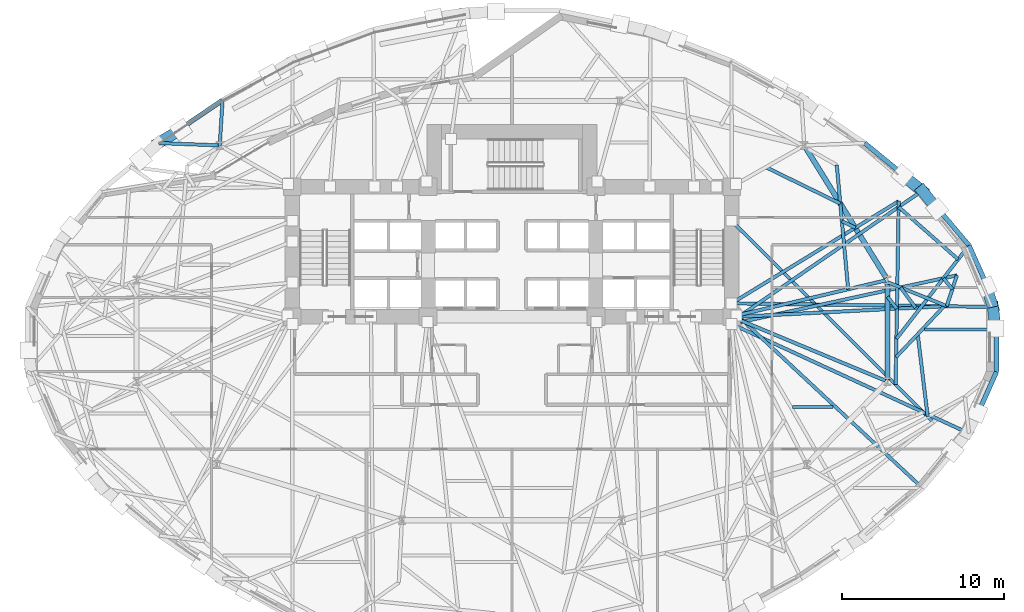
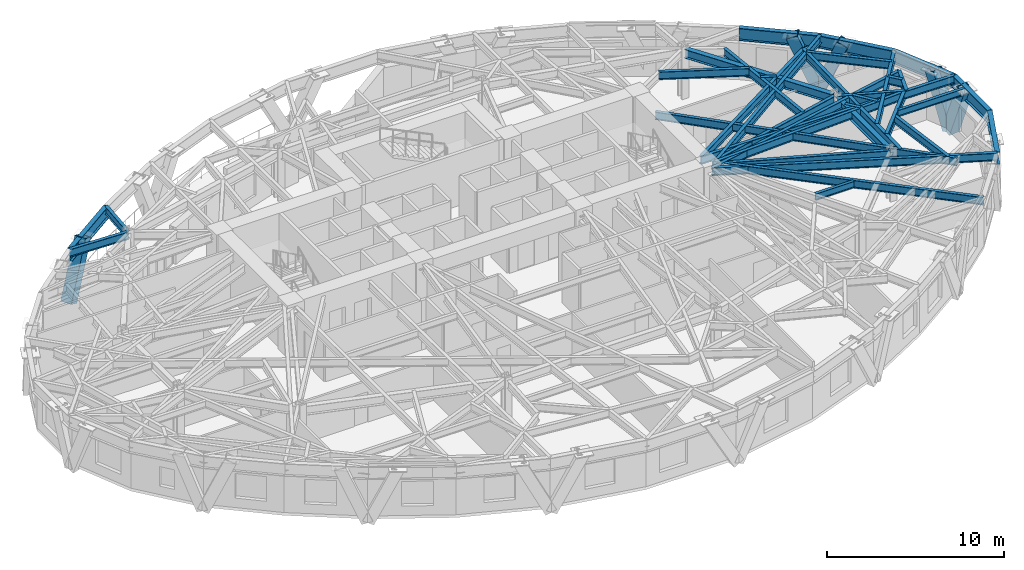
# One storey, part 5 of 17: 35 beams, 5 members.
"""IFC4 building model written with IfcOpenShell, lengths in metres."""

from ifc_helpers import new_model, si_unit, direction, frame, origin, origin_2d, place, context, subcontext, project, spatial, hollow_rectangle, i_section, extrude, material, material_profile, profile_set, type_object, element, save


model = new_model("IFC4")

# Units and contexts
model_context = context("Model", 3, precision=1e-05, world=origin(), true_north=direction((0.0, 1.0)))
body_context = subcontext(model_context, "Body", "Model", "MODEL_VIEW")
ifc_project = project(units=[si_unit("LENGTHUNIT", "METRE"), si_unit("AREAUNIT", "SQUARE_METRE"), si_unit("VOLUMEUNIT", "CUBIC_METRE"), si_unit("PLANEANGLEUNIT", "RADIAN"), si_unit("MASSUNIT", "GRAM", prefix="KILO")], contexts=[model_context])

# Site, building, storey
site_placement = place(None, origin())
site = spatial("IfcSite", under=ifc_project, at=site_placement, CompositionType="ELEMENT")
building_placement = place(site_placement, origin())
building = spatial("IfcBuilding", under=site, at=building_placement, Name="Keldmark Tower", CompositionType="ELEMENT")
storey_placement = place(building_placement, frame((0.0, 0.0, 70.199951171875)))
storey = spatial("IfcBuildingStorey", under=building, at=storey_placement, Name="L18", CompositionType="ELEMENT", Elevation=70.199951171875)

# Beams
ifc_material_1 = material(Name="Steel ASTM A992 Grade 50", Category="steel")
ifc_material_profile_1 = material_profile(ifc_material_1, i_section(OverallWidth=0.19091796875, OverallDepth=0.45703125, WebThickness=0.009033203125, FlangeThickness=0.014404296875, at=origin_2d()), Name="W18X50")
ifc_profile_set_1 = profile_set([ifc_material_profile_1], Name="Steel ASTM A992 Grade 50")
beam_type_1 = type_object("IfcBeamType", Name="Composite Floor Joist W18X50", PredefinedType="JOIST", material=ifc_profile_set_1)
beam_1_placement = place(storey_placement, frame((17.3681640625, -4.179931640625, 3.171630859375), z_axis=(1.0, 0.0, 0.0), x_axis=(0.0, 1.0, 0.0)))
element("IfcBeam", 1, at=beam_1_placement, inside=storey, type_object=beam_type_1, Name="L18 Composite Floor Joist J14", PredefinedType="JOIST", context=body_context, shape_type="SweptSolid", body=[
    extrude(i_section(OverallWidth=0.19091796875, OverallDepth=0.45703125, WebThickness=0.009033203125, FlangeThickness=0.014404296875, at=origin_2d()), origin(), (0.0, 0.0, 1.0), 2.5185546875),
])
beam_2_placement = place(storey_placement, frame((25.542236328125, 0.6201171875, 3.171630859375), z_axis=(1.0, 0.0, 0.0), x_axis=(0.0, 1.0, 0.0)))
element("IfcBeam", 2, at=beam_2_placement, inside=storey, type_object=beam_type_1, Name="L18 Composite Floor Joist J18", PredefinedType="JOIST", context=body_context, shape_type="SweptSolid", body=[
    extrude(i_section(OverallWidth=0.19091796875, OverallDepth=0.45703125, WebThickness=0.009033203125, FlangeThickness=0.014404296875, at=origin_2d()), origin(), (0.0, 0.0, 1.0), 4.324951171875),
])

# Members
ifc_material_2 = material(Name="Steel ASTM A572 Grade 50", Category="steel")
ifc_material_profile_2 = material_profile(ifc_material_2, hollow_rectangle(XDim=0.699951171875, YDim=0.699951171875, WallThickness=0.054931640625, at=origin_2d()), Name="BOX700X700X55")
ifc_profile_set_2 = profile_set([ifc_material_profile_2], Name="Steel ASTM A572 Grade 50")
member_type = type_object("IfcMemberType", Name="Diagrid Zone 1 Brace BOX700X700X55", PredefinedType="BRACE", material=ifc_profile_set_2)
member_1_placement = place(storey_placement, frame((29.77587890625, 1.98681640625, -0.280029296875), z_axis=(-0.10528035046, 0.33720507131, 0.935525941751), x_axis=(-0.954557502887, -0.298026800274, 0.0)))
element("IfcMember", 3, at=member_1_placement, inside=storey, type_object=member_type, Name="L18 Perimeter Diagrid Brace 01A", PredefinedType="BRACE", context=body_context, shape_type="SweptSolid", body=[
    extrude(hollow_rectangle(XDim=0.699951171875, YDim=0.699951171875, WallThickness=0.054931640625, at=origin_2d()), origin(), (0.0, 0.0, 1.0), 3.805419921875),
])
member_2_placement = place(storey_placement, frame((25.398193359375, 9.208740234375, -0.280029296875), z_axis=(0.24071139751, -0.296547822261, 0.924184728407), x_axis=(0.776413377825, 0.630223981402, 0.0)))
element("IfcMember", 4, at=member_2_placement, inside=storey, type_object=member_type, Name="L18 Perimeter Diagrid Brace 01B", PredefinedType="BRACE", context=body_context, shape_type="SweptSolid", body=[
    extrude(hollow_rectangle(XDim=0.699951171875, YDim=0.699951171875, WallThickness=0.054931640625, at=origin_2d()), origin(), (0.0, 0.0, 1.0), 3.85205078125),
])
member_3_placement = place(storey_placement, frame((25.402587890625, 9.19775390625, -0.280029296875), z_axis=(-0.315248396849, 0.249121591693, 0.915727514513), x_axis=(-0.620014148641, -0.784590629236, 0.0)))
element("IfcMember", 5, at=member_3_placement, inside=storey, type_object=member_type, Name="L18 Perimeter Diagrid Brace 02A", PredefinedType="BRACE", context=body_context, shape_type="SweptSolid", body=[
    extrude(hollow_rectangle(XDim=0.699951171875, YDim=0.699951171875, WallThickness=0.054931640625, at=origin_2d()), origin(), (0.0, 0.0, 1.0), 3.8876953125),
])
member_4_placement = place(storey_placement, frame((-21.894775390625, 12.158935546875, -0.280029296875), z_axis=(0.357637739719, 0.212587106313, 0.909341503154), x_axis=(-0.510964651857, 0.859601724377, 0.0)))
element("IfcMember", 6, at=member_4_placement, inside=storey, type_object=member_type, Name="L18 Perimeter Diagrid Brace 06B", PredefinedType="BRACE", context=body_context, shape_type="SweptSolid", body=[
    extrude(hollow_rectangle(XDim=0.699951171875, YDim=0.699951171875, WallThickness=0.054931640625, at=origin_2d()), origin(), (0.0, 0.0, 1.0), 3.9150390625),
])
member_5_placement = place(storey_placement, frame((29.77587890625, 1.99853515625, -0.280029296875), z_axis=(0.044304352331, -0.348399153259, 0.936298645931), x_axis=(0.992011228554, 0.126149603336, 0.0)))
element("IfcMember", 7, at=member_5_placement, inside=storey, type_object=member_type, Name="L18 Perimeter Diagrid Brace 16B", PredefinedType="BRACE", context=body_context, shape_type="SweptSolid", body=[
    extrude(hollow_rectangle(XDim=0.699951171875, YDim=0.699951171875, WallThickness=0.054931640625, at=origin_2d()), origin(), (0.0, 0.0, 1.0), 3.80224609375),
])

# Beams
ifc_material_3 = material(Name="Steel ASTM A992 Grade 50", Category="steel")
ifc_material_profile_3 = material_profile(ifc_material_3, i_section(OverallWidth=0.323974609375, OverallDepth=0.611083984375, WebThickness=0.0126953125, FlangeThickness=0.01904296875, at=origin_2d()), Name="W24X104")
ifc_profile_set_3 = profile_set([ifc_material_profile_3], Name="Steel ASTM A992 Grade 50")
beam_type_2 = type_object("IfcBeamType", Name="Primary Floor Girder W24X104", PredefinedType="BEAM", material=ifc_profile_set_3)
beam_3_placement = place(storey_placement, frame((23.180419921875, 3.796142578125, 3.094482421875), z_axis=(-0.526318405849, 0.850287560573, 0.0), x_axis=(-0.850287560573, -0.526318405849, 0.0)))
element("IfcBeam", 8, at=beam_3_placement, inside=storey, type_object=beam_type_2, Name="L18 Floor Ring Girder FG-R01", PredefinedType="BEAM", context=body_context, shape_type="SweptSolid", body=[
    extrude(i_section(OverallWidth=0.323974609375, OverallDepth=0.611083984375, WebThickness=0.0126953125, FlangeThickness=0.01904296875, at=origin_2d()), origin(), (0.0, 0.0, 1.0), 9.51708984375),
])
beam_4_placement = place(storey_placement, frame((23.25390625, -2.47314453125, 3.094482421875), z_axis=(0.0, 1.0, 0.0), x_axis=(-1.0, 0.0, 0.0)))
element("IfcBeam", 9, at=beam_4_placement, inside=storey, type_object=beam_type_2, Name="L18 Floor Ring Girder FG-R12", PredefinedType="BEAM", context=body_context, shape_type="SweptSolid", body=[
    extrude(i_section(OverallWidth=0.323974609375, OverallDepth=0.611083984375, WebThickness=0.0126953125, FlangeThickness=0.01904296875, at=origin_2d()), origin(), (0.0, 0.0, 1.0), 6.01025390625),
])
ifc_material_4 = material(Name="Steel ASTM A992 Grade 50", Category="steel")
ifc_material_profile_4 = material_profile(ifc_material_4, i_section(OverallWidth=0.2099609375, OverallDepth=0.537109375, WebThickness=0.010986328125, FlangeThickness=0.017333984375, at=origin_2d()), Name="W21X68")
ifc_profile_set_4 = profile_set([ifc_material_profile_4], Name="Steel ASTM A992 Grade 50")
beam_type_3 = type_object("IfcBeamType", Name="Radial Tie Girder W21X68", PredefinedType="BEAM", material=ifc_profile_set_4)
beam_5_placement = place(storey_placement, frame((15.72216796875, 10.65673828125, 3.131591796875), z_axis=(0.898316295286, -0.439349329832, 0.0), x_axis=(0.439349329832, 0.898316295286, 0.0)))
element("IfcBeam", 10, at=beam_5_placement, inside=storey, type_object=beam_type_3, Name="L18 Framing Pin Header PH-001", PredefinedType="BEAM", context=body_context, shape_type="SweptSolid", body=[
    extrude(i_section(OverallWidth=0.2099609375, OverallDepth=0.537109375, WebThickness=0.010986328125, FlangeThickness=0.017333984375, at=origin_2d()), origin(), (0.0, 0.0, 1.0), 5.12744140625),
])
beam_6_placement = place(storey_placement, frame((20.816162109375, 3.102294921875, 3.131591796875), z_axis=(-0.091667937823, 0.995789630984, 0.0), x_axis=(-0.995789630984, -0.091667937823, 0.0)))
element("IfcBeam", 11, at=beam_6_placement, inside=storey, type_object=beam_type_3, Name="L18 Sub-Ring Step Girder STP1-M01", PredefinedType="BEAM", context=body_context, shape_type="SweptSolid", body=[
    extrude(i_section(OverallWidth=0.2099609375, OverallDepth=0.537109375, WebThickness=0.010986328125, FlangeThickness=0.017333984375, at=origin_2d()), origin(), (0.0, 0.0, 1.0), 7.71826171875),
])
beam_7_placement = place(storey_placement, frame((20.427001953125, 7.329345703125, 3.131591796875), z_axis=(0.890824820722, -0.454346936587, 0.0), x_axis=(0.454346936587, 0.890824820722, 0.0)))
element("IfcBeam", 12, at=beam_7_placement, inside=storey, type_object=beam_type_3, Name="L18 Framing Pin Header PH-005", PredefinedType="BEAM", context=body_context, shape_type="SweptSolid", body=[
    extrude(i_section(OverallWidth=0.2099609375, OverallDepth=0.537109375, WebThickness=0.010986328125, FlangeThickness=0.017333984375, at=origin_2d()), origin(), (0.0, 0.0, 1.0), 0.928955078125),
])
beam_8_placement = place(storey_placement, frame((13.60009765625, 2.228515625, 3.131591796875), z_axis=(0.853239527776, 0.52151923094, 0.0), x_axis=(-0.52151923094, 0.853239527776, 0.0)))
element("IfcBeam", 13, at=beam_8_placement, inside=storey, type_object=beam_type_3, Name="L18 Sub-Ring Step Girder STP2-M01", PredefinedType="BEAM", context=body_context, shape_type="SweptSolid", body=[
    extrude(i_section(OverallWidth=0.2099609375, OverallDepth=0.537109375, WebThickness=0.010986328125, FlangeThickness=0.017333984375, at=origin_2d()), origin(), (0.0, 0.0, 1.0), 12.1259765625),
])
beam_9_placement = place(storey_placement, frame((23.946533203125, 8.552490234375, 3.131591796875), z_axis=(-0.017106210028, -0.999853678084, 0.0), x_axis=(0.999853678084, -0.017106210028, 0.0)))
element("IfcBeam", 14, at=beam_9_placement, inside=storey, type_object=beam_type_3, Name="L18 Framing Pin Header PH-010", PredefinedType="BEAM", context=body_context, shape_type="SweptSolid", body=[
    extrude(i_section(OverallWidth=0.2099609375, OverallDepth=0.537109375, WebThickness=0.010986328125, FlangeThickness=0.017333984375, at=origin_2d()), origin(), (0.0, 0.0, 1.0), 11.360595703125),
])
beam_10_placement = place(storey_placement, frame((13.60009765625, 7.343017578125, 3.131591796875), z_axis=(0.707196702079, -0.707016848858, 0.0), x_axis=(0.707016848858, 0.707196702079, 0.0)))
element("IfcBeam", 15, at=beam_10_placement, inside=storey, type_object=beam_type_3, Name="L18 Sub-Ring Step Girder STP2-M12", PredefinedType="BEAM", context=body_context, shape_type="SweptSolid", body=[
    extrude(i_section(OverallWidth=0.2099609375, OverallDepth=0.537109375, WebThickness=0.010986328125, FlangeThickness=0.017333984375, at=origin_2d()), origin(), (0.0, 0.0, 1.0), 17.646728515625),
])
beam_11_placement = place(storey_placement, frame((23.25390625, 2.635498046875, 3.131591796875), z_axis=(0.618028744148, -0.78615550078, 0.0), x_axis=(0.78615550078, 0.618028744148, 0.0)))
element("IfcBeam", 16, at=beam_11_placement, inside=storey, type_object=beam_type_3, Name="L18 Framing Pin Header PH-011", PredefinedType="BEAM", context=body_context, shape_type="SweptSolid", body=[
    extrude(i_section(OverallWidth=0.2099609375, OverallDepth=0.537109375, WebThickness=0.010986328125, FlangeThickness=0.017333984375, at=origin_2d()), origin(), (0.0, 0.0, 1.0), 0.9365234375),
])
beam_12_placement = place(storey_placement, frame((14.050048828125, 1.39990234375, 3.131591796875), z_axis=(0.998700600962, 0.050961844916, 0.0), x_axis=(-0.050961844916, 0.998700600962, 0.0)))
element("IfcBeam", 17, at=beam_12_placement, inside=storey, type_object=beam_type_3, Name="L18 Intermediate Radial Step Girder RT-01M", PredefinedType="BEAM", context=body_context, shape_type="SweptSolid", body=[
    extrude(i_section(OverallWidth=0.2099609375, OverallDepth=0.537109375, WebThickness=0.010986328125, FlangeThickness=0.017333984375, at=origin_2d()), origin(), (0.0, 0.0, 1.0), 12.886962890625),
])
beam_13_placement = place(storey_placement, frame((23.25390625, 3.537109375, 3.131591796875), z_axis=(0.927253793356, -0.374433442293, 0.0), x_axis=(0.374433442293, 0.927253793356, 0.0)))
element("IfcBeam", 18, at=beam_13_placement, inside=storey, type_object=beam_type_3, Name="L18 Local Collector Chord RT-01C", PredefinedType="BEAM", context=body_context, shape_type="SweptSolid", body=[
    extrude(i_section(OverallWidth=0.2099609375, OverallDepth=0.537109375, WebThickness=0.010986328125, FlangeThickness=0.017333984375, at=origin_2d()), origin(), (0.0, 0.0, 1.0), 3.953857421875),
])
beam_14_placement = place(storey_placement, frame((23.78125, -1.1025390625, 3.131591796875), z_axis=(0.686653305096, 0.726985033271, 0.0), x_axis=(-0.726985033271, 0.686653305096, 0.0)))
element("IfcBeam", 19, at=beam_14_placement, inside=storey, type_object=beam_type_3, Name="L18 Framing Pin Header PH-012", PredefinedType="BEAM", context=body_context, shape_type="SweptSolid", body=[
    extrude(i_section(OverallWidth=0.2099609375, OverallDepth=0.537109375, WebThickness=0.010986328125, FlangeThickness=0.017333984375, at=origin_2d()), origin(), (0.0, 0.0, 1.0), 4.334228515625),
])
beam_15_placement = place(storey_placement, frame((13.60009765625, 2.228515625, 3.131591796875), z_axis=(0.999906273502, -0.01369102665, 0.0), x_axis=(0.01369102665, 0.999906273502, 0.0)))
element("IfcBeam", 20, at=beam_15_placement, inside=storey, type_object=beam_type_3, Name="L18 Perimeter Radial Tie Girder RT-01", PredefinedType="BEAM", context=body_context, shape_type="SweptSolid", body=[
    extrude(i_section(OverallWidth=0.2099609375, OverallDepth=0.537109375, WebThickness=0.010986328125, FlangeThickness=0.017333984375, at=origin_2d()), origin(), (0.0, 0.0, 1.0), 16.405517578125),
])
beam_16_placement = place(storey_placement, frame((24.98974609375, 1.9580078125, 3.131591796875), z_axis=(-0.594849079169, 0.803837404586, 0.0), x_axis=(-0.803837404586, -0.594849079169, 0.0)))
element("IfcBeam", 21, at=beam_16_placement, inside=storey, type_object=beam_type_3, Name="L18 Framing Pin Header PH-013", PredefinedType="BEAM", context=body_context, shape_type="SweptSolid", body=[
    extrude(i_section(OverallWidth=0.2099609375, OverallDepth=0.537109375, WebThickness=0.010986328125, FlangeThickness=0.017333984375, at=origin_2d()), origin(), (0.0, 0.0, 1.0), 1.558349609375),
])
beam_17_placement = place(storey_placement, frame((13.60009765625, 0.949951171875, 3.131591796875), z_axis=(0.977443672606, 0.211196275728, 0.0), x_axis=(-0.211196275728, 0.977443672606, 0.0)))
element("IfcBeam", 22, at=beam_17_placement, inside=storey, type_object=beam_type_3, Name="L18 Intermediate Radial Step Girder RT-02M", PredefinedType="BEAM", context=body_context, shape_type="SweptSolid", body=[
    extrude(i_section(OverallWidth=0.2099609375, OverallDepth=0.537109375, WebThickness=0.010986328125, FlangeThickness=0.017333984375, at=origin_2d()), origin(), (0.0, 0.0, 1.0), 14.268310546875),
])
beam_18_placement = place(storey_placement, frame((26.920166015625, 2.056640625, 3.131591796875), z_axis=(0.312137604538, 0.950036902354, 0.0), x_axis=(-0.950036902354, 0.312137604538, 0.0)))
element("IfcBeam", 23, at=beam_18_placement, inside=storey, type_object=beam_type_3, Name="L18 Local Collector Chord RT-02C", PredefinedType="BEAM", context=body_context, shape_type="SweptSolid", body=[
    extrude(i_section(OverallWidth=0.2099609375, OverallDepth=0.537109375, WebThickness=0.010986328125, FlangeThickness=0.017333984375, at=origin_2d()), origin(), (0.0, 0.0, 1.0), 2.007080078125),
])
beam_19_placement = place(storey_placement, frame((27.264892578125, 3.105224609375, 3.131591796875), z_axis=(-0.630403248654, 0.776267830125, 0.0), x_axis=(-0.776267830125, -0.630403248654, 0.0)))
element("IfcBeam", 24, at=beam_19_placement, inside=storey, type_object=beam_type_3, Name="L18 Framing Pin Header PH-014", PredefinedType="BEAM", context=body_context, shape_type="SweptSolid", body=[
    extrude(i_section(OverallWidth=0.2099609375, OverallDepth=0.537109375, WebThickness=0.010986328125, FlangeThickness=0.017333984375, at=origin_2d()), origin(), (0.0, 0.0, 1.0), 0.873779296875),
])
beam_20_placement = place(storey_placement, frame((23.80078125, 0.033203125, 3.131591796875), z_axis=(0.613495376492, 0.789698311397, 0.0), x_axis=(-0.789698311397, 0.613495376492, 0.0)))
element("IfcBeam", 25, at=beam_20_placement, inside=storey, type_object=beam_type_3, Name="L18 Perimeter Radial Tie Girder RT-02", PredefinedType="BEAM", context=body_context, shape_type="SweptSolid", body=[
    extrude(i_section(OverallWidth=0.2099609375, OverallDepth=0.537109375, WebThickness=0.010986328125, FlangeThickness=0.017333984375, at=origin_2d()), origin(), (0.0, 0.0, 1.0), 7.328369140625),
])
beam_21_placement = place(storey_placement, frame((27.622314453125, 4.952392578125, 3.131591796875), z_axis=(-0.75047358266, 0.66090044767, 0.0), x_axis=(-0.66090044767, -0.75047358266, 0.0)))
element("IfcBeam", 26, at=beam_21_placement, inside=storey, type_object=beam_type_3, Name="L18 Framing Pin Header PH-015", PredefinedType="BEAM", context=body_context, shape_type="SweptSolid", body=[
    extrude(i_section(OverallWidth=0.2099609375, OverallDepth=0.537109375, WebThickness=0.010986328125, FlangeThickness=0.017333984375, at=origin_2d()), origin(), (0.0, 0.0, 1.0), 4.906005859375),
])
beam_22_placement = place(storey_placement, frame((14.050048828125, 1.39990234375, 3.131591796875), z_axis=(0.824224074726, 0.566263785388, 0.0), x_axis=(-0.566263785388, 0.824224074726, 0.0)))
element("IfcBeam", 27, at=beam_22_placement, inside=storey, type_object=beam_type_3, Name="L18 Perimeter Radial Tie Girder RT-03", PredefinedType="BEAM", context=body_context, shape_type="SweptSolid", body=[
    extrude(i_section(OverallWidth=0.2099609375, OverallDepth=0.537109375, WebThickness=0.010986328125, FlangeThickness=0.017333984375, at=origin_2d()), origin(), (0.0, 0.0, 1.0), 13.8017578125),
])
beam_23_placement = place(storey_placement, frame((-18.09765625, 12.00732421875, 3.131591796875), z_axis=(0.062551604305, 0.998041730991, 0.0), x_axis=(-0.998041730991, 0.062551604305, 0.0)))
element("IfcBeam", 28, at=beam_23_placement, inside=storey, type_object=beam_type_3, Name="L18 Perimeter Column Bracket RT-12", PredefinedType="BEAM", context=body_context, shape_type="SweptSolid", body=[
    extrude(i_section(OverallWidth=0.2099609375, OverallDepth=0.537109375, WebThickness=0.010986328125, FlangeThickness=0.017333984375, at=origin_2d()), origin(), (0.0, 0.0, 1.0), 2.806396484375),
])
beam_24_placement = place(storey_placement, frame((-18.09765625, 12.00732421875, 3.131591796875), z_axis=(-0.999246750596, 0.038806332263, 0.0), x_axis=(-0.038806332263, -0.999246750596, 0.0)))
element("IfcBeam", 29, at=beam_24_placement, inside=storey, type_object=beam_type_3, Name="L18 Perimeter Column Bracket RT-13", PredefinedType="BEAM", context=body_context, shape_type="SweptSolid", body=[
    extrude(i_section(OverallWidth=0.2099609375, OverallDepth=0.537109375, WebThickness=0.010986328125, FlangeThickness=0.017333984375, at=origin_2d()), origin(), (0.0, 0.0, 1.0), 3.743408203125),
])
beam_25_placement = place(storey_placement, frame((14.050048828125, 1.39990234375, 3.131591796875), z_axis=(0.731123097545, -0.682245568865, 0.0), x_axis=(0.682245568865, 0.731123097545, 0.0)))
element("IfcBeam", 30, at=beam_25_placement, inside=storey, type_object=beam_type_3, Name="L18 Perimeter Radial Tie Girder RT-30", PredefinedType="BEAM", context=body_context, shape_type="SweptSolid", body=[
    extrude(i_section(OverallWidth=0.2099609375, OverallDepth=0.537109375, WebThickness=0.010986328125, FlangeThickness=0.017333984375, at=origin_2d()), origin(), (0.0, 0.0, 1.0), 15.559326171875),
])
beam_26_placement = place(storey_placement, frame((13.60009765625, 0.949951171875, 3.131591796875), z_axis=(0.908259000671, -0.418408398219, 0.0), x_axis=(0.418408398219, 0.908259000671, 0.0)))
element("IfcBeam", 31, at=beam_26_placement, inside=storey, type_object=beam_type_3, Name="L18 Perimeter Radial Tie Girder RT-31", PredefinedType="BEAM", context=body_context, shape_type="SweptSolid", body=[
    extrude(i_section(OverallWidth=0.2099609375, OverallDepth=0.537109375, WebThickness=0.010986328125, FlangeThickness=0.017333984375, at=origin_2d()), origin(), (0.0, 0.0, 1.0), 16.180908203125),
])
beam_27_placement = place(storey_placement, frame((25.12060546875, 0.315185546875, 3.131591796875), z_axis=(0.120473013405, -0.992716602582, 0.0), x_axis=(0.992716602582, 0.120473013405, 0.0)))
element("IfcBeam", 32, at=beam_27_placement, inside=storey, type_object=beam_type_3, Name="L18 Framing Pin Header PH-044", PredefinedType="BEAM", context=body_context, shape_type="SweptSolid", body=[
    extrude(i_section(OverallWidth=0.2099609375, OverallDepth=0.537109375, WebThickness=0.010986328125, FlangeThickness=0.017333984375, at=origin_2d()), origin(), (0.0, 0.0, 1.0), 5.1474609375),
])
ifc_material_5 = material(Name="Steel ASTM A992 Grade 50", Category="steel")
ifc_material_profile_5 = material_profile(ifc_material_5, i_section(OverallWidth=0.214111328125, OverallDepth=0.549072265625, WebThickness=0.0146484375, FlangeThickness=0.023681640625, at=origin_2d()), Name="W21X93")
ifc_profile_set_5 = profile_set([ifc_material_profile_5], Name="Steel ASTM A992 Grade 50")
beam_type_4 = type_object("IfcBeamType", Name="Radial Tie Girder W21X93", PredefinedType="BEAM", material=ifc_profile_set_5)
beam_28_placement = place(storey_placement, frame((23.11767578125, 3.64501953125, 3.12548828125), z_axis=(-0.973287364179, -0.229590301909, 0.0), x_axis=(0.229590301909, -0.973287364179, 0.0)))
element("IfcBeam", 33, at=beam_28_placement, inside=storey, type_object=beam_type_4, Name="L18 Floor Radial Girder FG-C01", PredefinedType="BEAM", context=body_context, shape_type="SweptSolid", body=[
    extrude(i_section(OverallWidth=0.214111328125, OverallDepth=0.549072265625, WebThickness=0.0146484375, FlangeThickness=0.023681640625, at=origin_2d()), origin(), (0.0, 0.0, 1.0), 9.458740234375),
])
beam_29_placement = place(storey_placement, frame((23.124755859375, -2.5595703125, 3.12548828125), z_axis=(-0.923390978102, 0.383860784088, 0.0), x_axis=(-0.383860784088, -0.923390978102, 0.0)))
element("IfcBeam", 34, at=beam_29_placement, inside=storey, type_object=beam_type_4, Name="L18 Floor Radial Girder FG-C12", PredefinedType="BEAM", context=body_context, shape_type="SweptSolid", body=[
    extrude(i_section(OverallWidth=0.214111328125, OverallDepth=0.549072265625, WebThickness=0.0146484375, FlangeThickness=0.023681640625, at=origin_2d()), origin(), (0.0, 0.0, 1.0), 9.994873046875),
])
ifc_material_6 = material(Name="Steel ASTM A992 Grade 50", Category="steel")
ifc_material_profile_6 = material_profile(ifc_material_6, i_section(OverallWidth=0.2919921875, OverallDepth=0.85888671875, WebThickness=0.01708984375, FlangeThickness=0.031005859375, at=origin_2d()), Name="W33X169")
ifc_profile_set_6 = profile_set([ifc_material_profile_6], Name="Steel ASTM A992 Grade 50")
beam_type_5 = type_object("IfcBeamType", Name="Spandrel Ring Beam W33X169", PredefinedType="SPANDREL", material=ifc_profile_set_6)
beam_30_placement = place(storey_placement, frame((30.004150390625, 2.00390625, 2.970458984375), z_axis=(-0.408401911068, 0.912802212441, 0.0), x_axis=(-0.912802212441, -0.408401911068, 0.0)))
element("IfcBeam", 35, at=beam_30_placement, inside=storey, type_object=beam_type_5, Name="L18 Perimeter Spandrel Ring Beam SRB-01", PredefinedType="SPANDREL", context=body_context, shape_type="SweptSolid", body=[
    extrude(i_section(OverallWidth=0.2919921875, OverallDepth=0.85888671875, WebThickness=0.01708984375, FlangeThickness=0.031005859375, at=origin_2d()), origin(), (0.0, 0.0, 1.0), 4.180908203125),
])
beam_31_placement = place(storey_placement, frame((28.296630859375, 5.8203125, 2.970458984375), z_axis=(-0.645698517297, 0.763592446767, 0.0), x_axis=(-0.763592446767, -0.645698517297, 0.0)))
element("IfcBeam", 36, at=beam_31_placement, inside=storey, type_object=beam_type_5, Name="L18 Perimeter Spandrel Ring Beam SRB-02", PredefinedType="SPANDREL", context=body_context, shape_type="SweptSolid", body=[
    extrude(i_section(OverallWidth=0.2919921875, OverallDepth=0.85888671875, WebThickness=0.01708984375, FlangeThickness=0.031005859375, at=origin_2d()), origin(), (0.0, 0.0, 1.0), 4.446044921875),
])
beam_32_placement = place(storey_placement, frame((25.42578125, 9.21533203125, 2.970458984375), z_axis=(-0.773755505178, 0.633484347247, 0.0), x_axis=(-0.633484347247, -0.773755505178, 0.0)))
element("IfcBeam", 37, at=beam_32_placement, inside=storey, type_object=beam_type_5, Name="L18 Perimeter Spandrel Ring Beam SRB-03", PredefinedType="SPANDREL", context=body_context, shape_type="SweptSolid", body=[
    extrude(i_section(OverallWidth=0.2919921875, OverallDepth=0.85888671875, WebThickness=0.01708984375, FlangeThickness=0.031005859375, at=origin_2d()), origin(), (0.0, 0.0, 1.0), 4.63671875),
])
beam_33_placement = place(storey_placement, frame((-17.922119140625, 14.80810546875, 2.970458984375), z_axis=(-0.827650405372, -0.561243981249, 0.0), x_axis=(0.561243981249, -0.827650405372, 0.0)))
element("IfcBeam", 38, at=beam_33_placement, inside=storey, type_object=beam_type_5, Name="L18 Perimeter Spandrel Ring Beam SRB-12", PredefinedType="SPANDREL", context=body_context, shape_type="SweptSolid", body=[
    extrude(i_section(OverallWidth=0.2919921875, OverallDepth=0.85888671875, WebThickness=0.01708984375, FlangeThickness=0.031005859375, at=origin_2d()), origin(), (0.0, 0.0, 1.0), 4.7314453125),
])
beam_34_placement = place(storey_placement, frame((28.296630859375, -5.8203125, 2.970458984375), z_axis=(0.408401911068, 0.912802212441, 0.0), x_axis=(-0.912802212441, 0.408401911068, 0.0)))
element("IfcBeam", 39, at=beam_34_placement, inside=storey, type_object=beam_type_5, Name="L18 Perimeter Spandrel Ring Beam SRB-31", PredefinedType="SPANDREL", context=body_context, shape_type="SweptSolid", body=[
    extrude(i_section(OverallWidth=0.2919921875, OverallDepth=0.85888671875, WebThickness=0.01708984375, FlangeThickness=0.031005859375, at=origin_2d()), origin(), (0.0, 0.0, 1.0), 4.180908203125),
])
beam_35_placement = place(storey_placement, frame((30.004150390625, -2.00390625, 2.970458984375), z_axis=(0.0, 1.0, 0.0), x_axis=(-1.0, 0.0, 0.0)))
element("IfcBeam", 40, at=beam_35_placement, inside=storey, type_object=beam_type_5, Name="L18 Perimeter Spandrel Ring Beam SRB-32", PredefinedType="SPANDREL", context=body_context, shape_type="SweptSolid", body=[
    extrude(i_section(OverallWidth=0.2919921875, OverallDepth=0.85888671875, WebThickness=0.01708984375, FlangeThickness=0.031005859375, at=origin_2d()), origin(), (0.0, 0.0, 1.0), 4.0078125),
])

save(model, "model.ifc")
